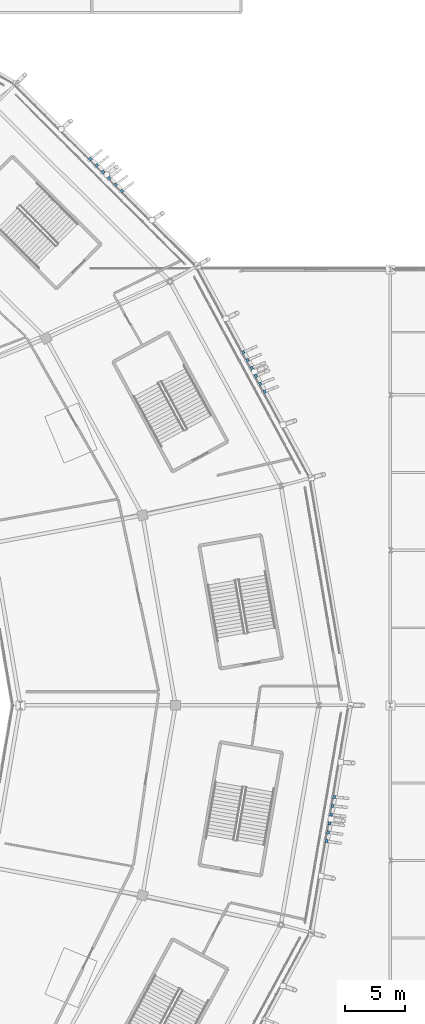
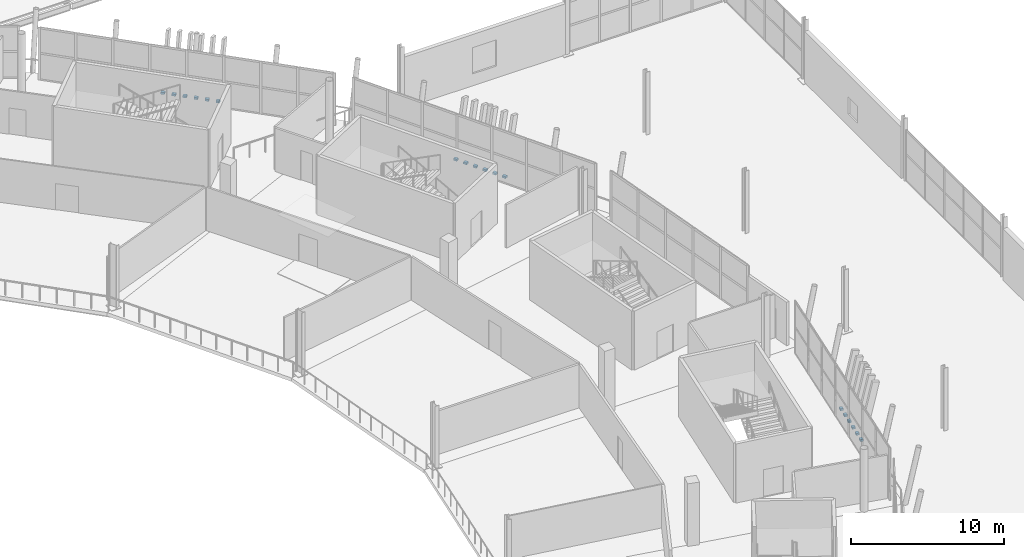
# One storey, part 143 of 179: 18 discrete accessories.
"""IFC4 building model written with IfcOpenShell, lengths in metres."""

from ifc_helpers import new_model, si_unit, direction, frame, origin, origin_2d, place, context, subcontext, project, spatial, rectangle, extrude, material, type_object, element, save


model = new_model("IFC4")

# Units and contexts
model_context = context("Model", 3, precision=1e-05, world=origin(), true_north=direction((0.0, 1.0)))
body_context = subcontext(model_context, "Body", "Model", "MODEL_VIEW")
ifc_project = project(units=[si_unit("LENGTHUNIT", "METRE"), si_unit("AREAUNIT", "SQUARE_METRE"), si_unit("VOLUMEUNIT", "CUBIC_METRE"), si_unit("PLANEANGLEUNIT", "RADIAN"), si_unit("MASSUNIT", "GRAM", prefix="KILO")], contexts=[model_context])

# Site, building, storey
site_placement = place(None, origin())
site = spatial("IfcSite", under=ifc_project, at=site_placement, CompositionType="ELEMENT")
building_placement = place(site_placement, origin())
building = spatial("IfcBuilding", under=site, at=building_placement, Name="Zlatoyarsky Gate Stadium", CompositionType="ELEMENT")
storey_placement = place(building_placement, frame((0.0, 0.0, 10.60009765625)))
storey = spatial("IfcBuildingStorey", under=building, at=storey_placement, Name="L02", CompositionType="ELEMENT", Elevation=10.60009765625)

# Discrete accessories
ifc_material = material(Name="Steel S355", Category="steel")
discrete_accessory_type = type_object("IfcDiscreteAccessoryType", Name="STEEL LOUVRE ANCHOR BRACKET 260X220X160", PredefinedType="BRACKET", material=ifc_material)
for number, where, z_axis, x_axis, name in (
    (1, (199.451904296875, 106.271728515625, -0.02001953125), (0.0, 0.0, 1.0), (-0.473806009145, 0.880629244176, 0.0), "Louvre anchor bracket L02-01-1"),
    (2, (199.096435546875, 106.93212890625, -0.02001953125), (0.0, 0.0, 1.0), (-0.473806009145, 0.880629244176, 0.0), "Louvre anchor bracket L02-01-2"),
    (3, (198.7412109375, 107.5927734375, -0.02001953125), (0.0, 0.0, 1.0), (-0.473806009145, 0.880629244176, 0.0), "Louvre anchor bracket L02-01-3"),
    (4, (198.3857421875, 108.253173828125, -0.02001953125), (0.0, 0.0, 1.0), (-0.473806009145, 0.880629244176, 0.0), "Louvre anchor bracket L02-01-4"),
    (5, (198.030517578125, 108.913818359375, -0.02001953125), (0.0, 0.0, 1.0), (-0.473806009145, 0.880629244176, 0.0), "Louvre anchor bracket L02-01-5"),
    (6, (197.675048828125, 109.57421875, -0.02001953125), (0.0, 0.0, 1.0), (-0.473806009145, 0.880629244176, 0.0), "Louvre anchor bracket L02-01-6"),
    (7, (187.51611328125, 123.091064453125, -0.02001953125), (0.0, 0.0, 1.0), (-0.705937153021, 0.708274477858, 0.0), "Louvre anchor bracket L02-02-1"),
    (8, (186.98681640625, 123.622314453125, -0.02001953125), (0.0, 0.0, 1.0), (-0.705937153021, 0.708274477858, 0.0), "Louvre anchor bracket L02-02-2"),
    (9, (186.457275390625, 124.1533203125, -0.02001953125), (0.0, 0.0, 1.0), (-0.705937153021, 0.708274477858, 0.0), "Louvre anchor bracket L02-02-3"),
    (10, (185.927734375, 124.684814453125, -0.02001953125), (0.0, 0.0, 1.0), (-0.705937153021, 0.708274477858, 0.0), "Louvre anchor bracket L02-02-4"),
    (11, (185.398193359375, 125.2158203125, -0.02001953125), (0.0, 0.0, 1.0), (-0.705937153021, 0.708274477858, 0.0), "Louvre anchor bracket L02-02-5"),
    (12, (184.868896484375, 125.7470703125, -0.02001953125), (0.0, 0.0, 1.0), (-0.705937153021, 0.708274477858, 0.0), "Louvre anchor bracket L02-02-6"),
    (13, (204.651123046875, 68.627685546875, -0.02001953125), (0.0, 0.0, 1.0), (0.168563074234, 0.985690869393, 0.0), "Louvre anchor bracket L02-23-1"),
    (14, (204.777587890625, 69.3671875, -0.02001953125), (0.0, 0.0, 1.0), (0.168563074234, 0.985690869393, 0.0), "Louvre anchor bracket L02-23-2"),
    (15, (204.904052734375, 70.1064453125, -0.02001953125), (0.0, 0.0, 1.0), (0.168563074234, 0.985690869393, 0.0), "Louvre anchor bracket L02-23-3"),
    (16, (205.030517578125, 70.845703125, -0.02001953125), (0.0, 0.0, 1.0), (0.168563074234, 0.985690869393, 0.0), "Louvre anchor bracket L02-23-4"),
    (17, (205.15673828125, 71.5849609375, -0.02001953125), (0.0, 0.0, 1.0), (0.168563074234, 0.985690869393, 0.0), "Louvre anchor bracket L02-23-5"),
    (18, (205.283203125, 72.32421875, -0.02001953125), (0.0, 0.0, 1.0), (0.168563074234, 0.985690869393, 0.0), "Louvre anchor bracket L02-23-6"),
):
    element("IfcDiscreteAccessory", number, at=place(storey_placement, frame(where, z_axis=z_axis, x_axis=x_axis)), inside=storey, type_object=discrete_accessory_type, Name=name, PredefinedType="BRACKET", context=body_context, shape_type="SweptSolid", body=[
        extrude(rectangle(XDim=0.260009765625, YDim=0.219970703125, at=origin_2d()), origin(), (0.0, 0.0, 1.0), 0.159912109375),
    ])

save(model, "model.ifc")
